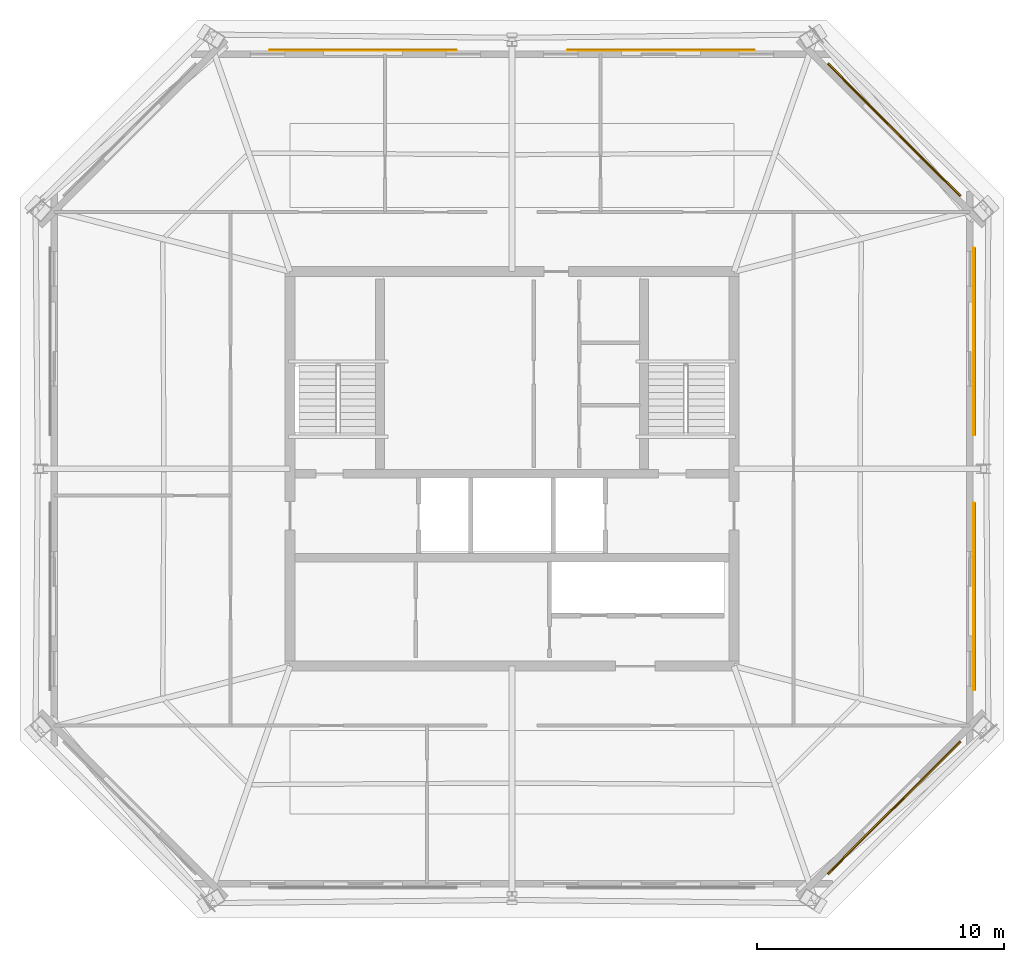
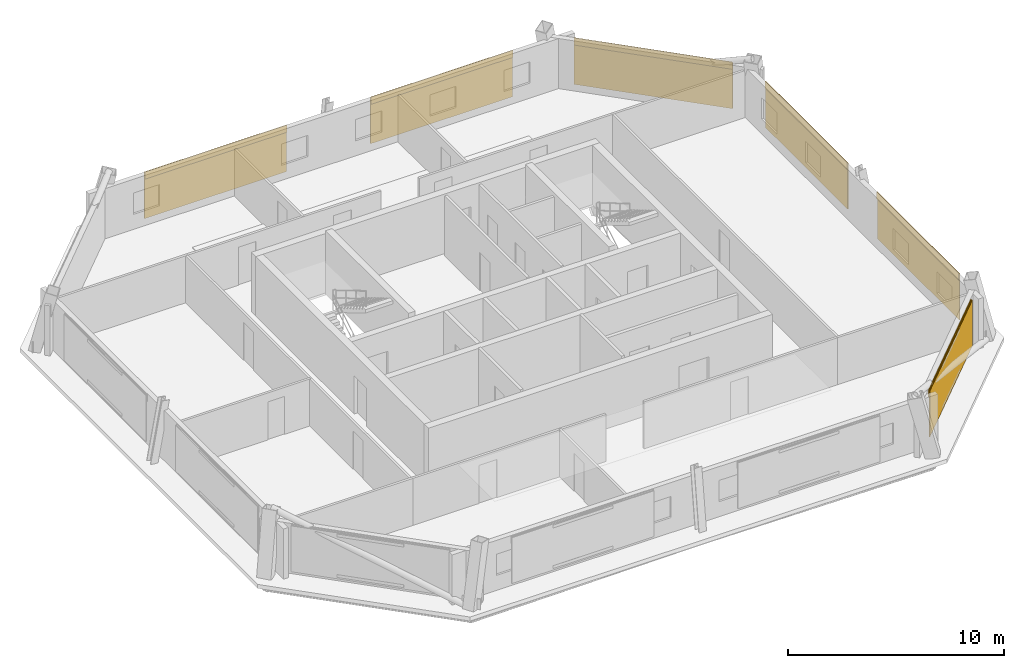
# One storey, part 6 of 6: 6 coverings, 6 shading devices.
"""IFC4 building model written with IfcOpenShell, lengths in metres."""

from ifc_helpers import new_model, si_unit, direction, frame, origin, origin_2d, place, context, subcontext, project, spatial, rectangle, extrude, material, layer, layer_set, type_object, element, save


model = new_model("IFC4")

# Units and contexts
model_context = context("Model", 3, precision=1e-05, world=origin(), true_north=direction((0.0, 1.0)))
body_context = subcontext(model_context, "Body", "Model", "MODEL_VIEW")
ifc_project = project(units=[si_unit("LENGTHUNIT", "METRE"), si_unit("AREAUNIT", "SQUARE_METRE"), si_unit("VOLUMEUNIT", "CUBIC_METRE"), si_unit("PLANEANGLEUNIT", "RADIAN"), si_unit("MASSUNIT", "GRAM", prefix="KILO")], contexts=[model_context])

# Site, building, storey
site_placement = place(None, origin())
site = spatial("IfcSite", under=ifc_project, at=site_placement, CompositionType="ELEMENT")
building_placement = place(site_placement, origin())
building = spatial("IfcBuilding", under=site, at=building_placement, Name="Caelvoria Tower", CompositionType="ELEMENT")
storey_placement = place(building_placement, frame((0.0, 0.0, 246.60009765625)))
storey = spatial("IfcBuildingStorey", under=building, at=storey_placement, Name="L65", CompositionType="ELEMENT", Elevation=246.60009765625)

# Coverings
ifc_material_1 = material(Name="Perforated Architectural Bronze Cladding Screen", Category="bronze")
ifc_layer_1 = layer(ifc_material_1, 0.0400390625, Name="Perforated Architectural Bronze Cladding Screen")
ifc_layer_set_1 = layer_set([ifc_layer_1], Name="Perforated Bronze Louvre Cladding Band 40 - Perforated Architectural Bronze Cladding Screen")
covering_type = type_object("IfcCoveringType", Name="Perforated Bronze Louvre Cladding Band 40", PredefinedType="CLADDING", material=ifc_layer_set_1)
for number, where, z_axis, x_axis, name in (
    (1, (61.476318359375, 18.273681640625, 2.411865234375), (0.0, 0.0, 1.0), (0.707106781187, 0.707106781187, 0.0), "Perforated Bronze Screen Band L65-E1-00"),
    (2, (64.714599609375, 26.830078125, 2.411865234375), (0.0, 0.0, 1.0), (0.0, 1.0, 0.0), "Perforated Bronze Screen Band L65-E2-00"),
    (3, (64.714599609375, 37.169921875, 2.411865234375), (0.0, 0.0, 1.0), (0.0, 1.0, 0.0), "Perforated Bronze Screen Band L65-E2-01"),
    (4, (61.476318359375, 45.726318359375, 2.411865234375), (0.0, 0.0, 1.0), (-0.707106781187, 0.707106781187, 0.0), "Perforated Bronze Screen Band L65-E3-00"),
    (5, (52.044921875, 48.964599609375, 2.411865234375), (0.0, 0.0, 1.0), (-1.0, 0.0, 0.0), "Perforated Bronze Screen Band L65-E4-00"),
    (6, (39.955078125, 48.964599609375, 2.411865234375), (0.0, 0.0, 1.0), (-1.0, 0.0, 0.0), "Perforated Bronze Screen Band L65-E4-01"),
):
    element("IfcCovering", number, at=place(storey_placement, frame(where, z_axis=z_axis, x_axis=x_axis)), inside=storey, type_object=covering_type, Name=name, PredefinedType="CLADDING", context=body_context, shape_type="SweptSolid", body=[
        extrude(rectangle(XDim=7.60009765625, YDim=0.0400390625, at=origin_2d()), origin(), (0.0, 0.0, 1.0), 0.39990234375),
    ])

# Shading devices
ifc_material_2 = material(Name="Perforated Architectural Bronze Alloy Panel", Category="bronze")
ifc_layer_2 = layer(ifc_material_2, 0.044921875, Name="Perforated Architectural Bronze Alloy Panel")
ifc_layer_set_2 = layer_set([ifc_layer_2], Name="Perforated Bronze Solar Screen Panel SCREEN - Perforated Architectural Bronze Alloy Panel")
shading_device_type = type_object("IfcShadingDeviceType", Name="Perforated Bronze Solar Screen Panel SCREEN", PredefinedType="USERDEFINED", material=ifc_layer_set_2)
for number, where, z_axis, x_axis, name in (
    (7, (61.5068359375, 18.2431640625, 0.15966796875), (0.0, 0.0, 1.0), (0.707106781187, 0.707106781187, 0.0), "Perforated Bronze Solar Screen L65-E1-00"),
    (8, (64.757568359375, 26.830078125, 0.15966796875), (0.0, 0.0, 1.0), (0.0, 1.0, 0.0), "Perforated Bronze Solar Screen L65-E2-00"),
    (9, (64.757568359375, 37.169921875, 0.15966796875), (0.0, 0.0, 1.0), (0.0, 1.0, 0.0), "Perforated Bronze Solar Screen L65-E2-01"),
    (10, (61.5068359375, 45.7568359375, 0.15966796875), (0.0, 0.0, 1.0), (-0.707106781187, 0.707106781187, 0.0), "Perforated Bronze Solar Screen L65-E3-00"),
    (11, (52.044921875, 49.007568359375, 0.15966796875), (0.0, 0.0, 1.0), (-1.0, 0.0, 0.0), "Perforated Bronze Solar Screen L65-E4-00"),
    (12, (39.955078125, 49.007568359375, 0.15966796875), (0.0, 0.0, 1.0), (-1.0, 0.0, 0.0), "Perforated Bronze Solar Screen L65-E4-01"),
):
    element("IfcShadingDevice", number, at=place(storey_placement, frame(where, z_axis=z_axis, x_axis=x_axis)), inside=storey, type_object=shading_device_type, Name=name, ObjectType="SCREEN", PredefinedType="USERDEFINED", context=body_context, shape_type="SweptSolid", body=[
        extrude(rectangle(XDim=7.60009765625, YDim=0.044921875, at=origin_2d()), origin(), (0.0, 0.0, 1.0), 2.592041015625),
    ])

save(model, "model.ifc")
